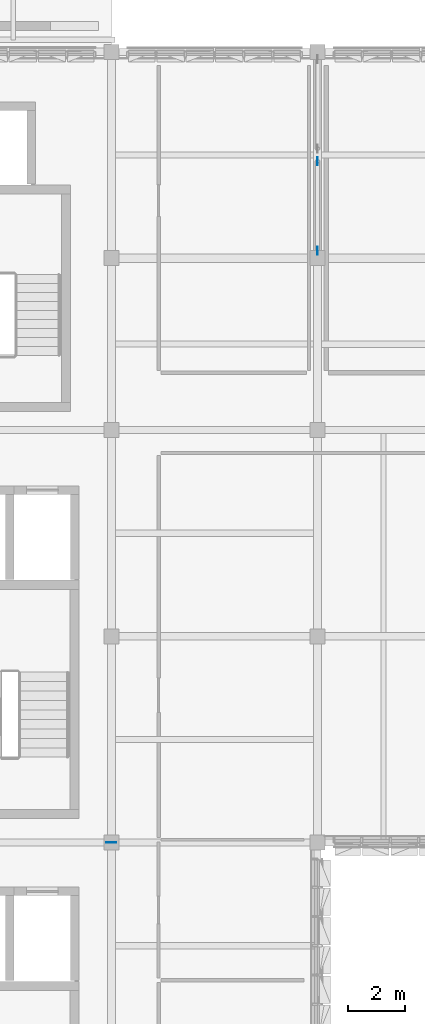
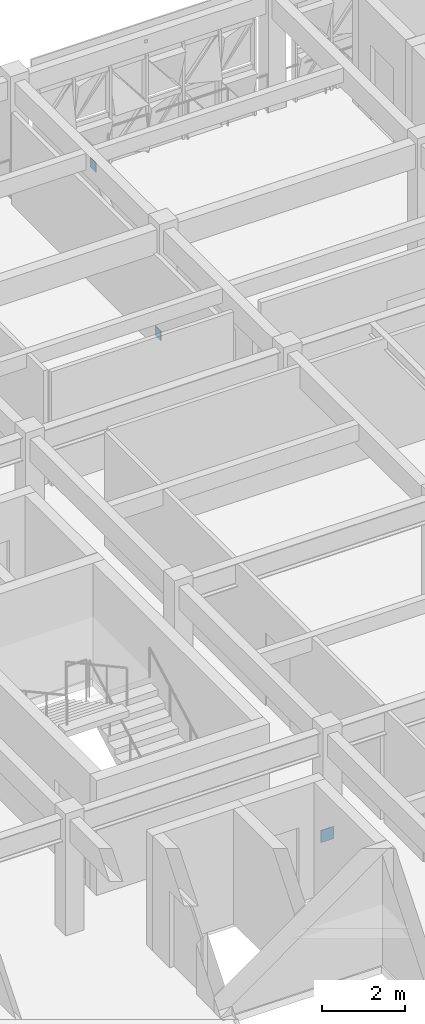
# One storey, part 27 of 48: 3 plates.
"""IFC4 building model written with IfcOpenShell, lengths in metres."""

from ifc_helpers import new_model, si_unit, direction, frame, origin, place, context, subcontext, project, spatial, polyline, outline, extrude, material, layer, layer_set, type_object, element, save


model = new_model("IFC4")

# Units and contexts
model_context = context("Model", 3, precision=1e-05, world=origin(), true_north=direction((0.0, 1.0)))
body_context = subcontext(model_context, "Body", "Model", "MODEL_VIEW")
ifc_project = project(units=[si_unit("LENGTHUNIT", "METRE"), si_unit("AREAUNIT", "SQUARE_METRE"), si_unit("VOLUMEUNIT", "CUBIC_METRE"), si_unit("PLANEANGLEUNIT", "RADIAN"), si_unit("MASSUNIT", "GRAM", prefix="KILO")], contexts=[model_context])

# Site, building, storey
site_placement = place(None, origin())
site = spatial("IfcSite", under=ifc_project, at=site_placement, CompositionType="ELEMENT")
building_placement = place(site_placement, origin())
building = spatial("IfcBuilding", under=site, at=building_placement, Name="Alvorim Cloister Faculty of Sciences", CompositionType="ELEMENT")
storey_placement = place(building_placement, frame((0.0, 0.0, 19.35009765625)))
storey = spatial("IfcBuildingStorey", under=building, at=storey_placement, Name="L05", CompositionType="ELEMENT", Elevation=19.35009765625)

# Plates
ifc_material = material(Name="Steel ASTM A572 Grade 50", Category="steel")
ifc_layer_1 = layer(ifc_material, 0.01611328125)
ifc_layer_set_1 = layer_set([ifc_layer_1], Name="Steel ASTM A572 Grade 50")
plate_type_1 = type_object("IfcPlateType", Name="PL-CAP-16", PredefinedType="SHEET", material=ifc_layer_set_1)
for number, where, z_axis, x_axis, name in (
    (1, (28.800048828125, 49.314208984375, -0.145751953125), (0.0, 0.0, 1.0), (0.0, 1.0, 0.0), "Hollow Steel End Plate ND-06"),
    (2, (28.800048828125, 52.44580078125, 2.925537109375), (0.0, 0.0, 1.0), (0.0, 1.0, 0.0), "Hollow Steel End Plate ND-06"),
):
    element("IfcPlate", number, at=place(storey_placement, frame(where, z_axis=z_axis, x_axis=x_axis)), inside=storey, type_object=plate_type_1, Name=name, PredefinedType="SHEET", context=body_context, shape_type="SweptSolid", body=[
        extrude(outline(polyline([(0.0, 0.0), (0.280029296875, 0.0), (0.280029296875, 0.280029296875), (0.0, 0.280029296875), (0.0, 0.0)])), frame((0.0, 0.008056640625, 0.0), z_axis=(0.0, -1.0, 0.0), x_axis=(1.0, 0.0, 0.0)), (0.0, 0.0, 1.0), 0.01611328125),
    ])
ifc_layer_2 = layer(ifc_material, 0.01806640625)
ifc_layer_set_2 = layer_set([ifc_layer_2], Name="Steel ASTM A572 Grade 50")
plate_type_2 = type_object("IfcPlateType", Name="PL-SPLICE-18", PredefinedType="SHEET", material=ifc_layer_set_2)
plate_placement = place(storey_placement, frame((21.419921875, 28.800048828125, 0.0498046875), z_axis=(0.0, 0.0, 1.0), x_axis=(1.0, 0.0, 0.0)))
element("IfcPlate", 3, at=plate_placement, inside=storey, type_object=plate_type_2, Name="Glulam-Steel Knife Connection Plate 7", PredefinedType="SHEET", context=body_context, shape_type="SweptSolid", body=[
    extrude(outline(polyline([(0.0, 0.0), (0.360107421875, 0.0), (0.360107421875, 0.360107421875), (0.0, 0.360107421875), (0.0, 0.0)])), frame((0.0, 0.009033203125, 0.0), z_axis=(0.0, -1.0, 0.0), x_axis=(1.0, 0.0, 0.0)), (0.0, 0.0, 1.0), 0.01806640625),
])

save(model, "model.ifc")
